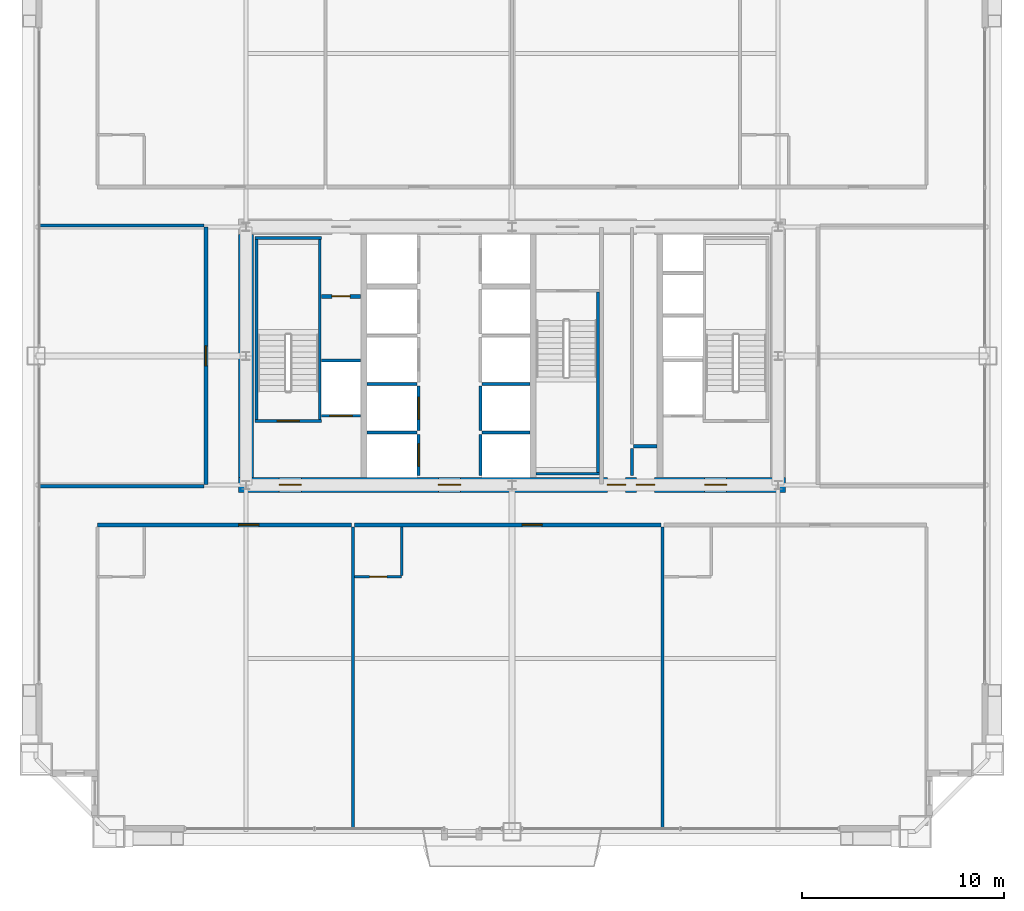
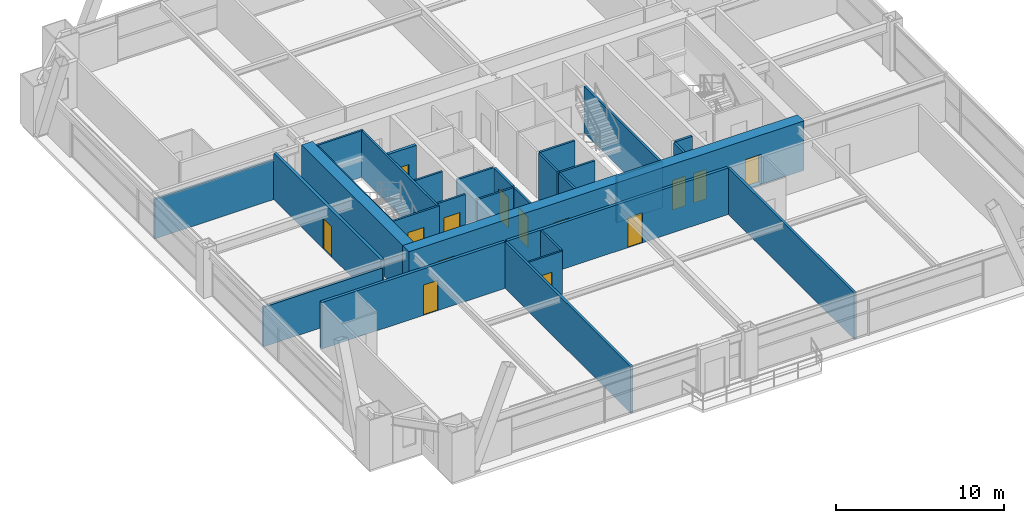
# One storey, part 39 of 43: 30 walls, 14 doors, 14 openings.
"""IFC4 building model written with IfcOpenShell, lengths in metres."""

import ifcopenshell
import ifcopenshell.guid

model = None  # the IFC model being written
_history = None  # IfcOwnerHistory: only IFC2X3 demands one
_inside = {}  # id of a spatial element -> (the spatial element, [elements in it])
_under = {}  # id of a project, library or spatial element -> (it, [spatial elements below it])
_declared = {}  # id of a project -> (the project, [libraries it declares])
_typed = {}  # id of a type object -> (the type object, [elements of that type])
_made_of = {}  # id of a material, layer set ... -> (it, [elements and type objects made of it])


def new_model(schema):
    """Start an empty IFC model of exactly this schema.

    Asked for "IFC4X3", IfcOpenShell would pick the latest addendum, in which some entities
    have other attributes; the version numbers below select the first issue.
    IFC2X3 requires an IfcOwnerHistory on every rooted entity: one is made here for all.
    """
    global model, _history
    if schema == "IFC4X3":
        model = ifcopenshell.file(schema_version=(4, 3, 0, 0))
    else:
        model = ifcopenshell.file(schema=schema)
    _inside.clear()
    _under.clear()
    _declared.clear()
    _typed.clear()
    _made_of.clear()
    _history = None
    if model.schema == "IFC2X3":
        org = make("IfcOrganization", Name="unknown")
        user = make(
            "IfcPersonAndOrganization",
            ThePerson=make("IfcPerson", FamilyName="unknown"),
            TheOrganization=org,
        )
        app = make(
            "IfcApplication",
            ApplicationDeveloper=org,
            Version="unknown",
            ApplicationFullName="unknown",
            ApplicationIdentifier="unknown",
        )
        _history = make(
            "IfcOwnerHistory",
            OwningUser=user,
            OwningApplication=app,
            ChangeAction="ADDED",
            CreationDate=0,
        )
    return model


def make(cls, **values):
    """One entity of the class cls with the attributes given. An attribute that is None is left unset."""
    return model.create_entity(
        cls, **{name: value for name, value in values.items() if value is not None}
    )


def rooted(cls, **values):
    """An entity with a GlobalId (a new one), such as an element, a storey or a relation."""
    return make(cls, GlobalId=ifcopenshell.guid.new(), OwnerHistory=_history, **values)


def si_unit(unit_type, name, prefix=None):
    """IfcSIUnit, for example si_unit("LENGTHUNIT", "METRE", prefix="MILLI")."""
    return make("IfcSIUnit", UnitType=unit_type, Prefix=prefix, Name=name)


def assignment(units):
    """IfcUnitAssignment: the units of a project."""
    return None if units is None else make("IfcUnitAssignment", Units=units)


def point(xyz):
    """IfcCartesianPoint."""
    return None if xyz is None else make("IfcCartesianPoint", Coordinates=xyz)


def direction(xyz):
    """IfcDirection."""
    return None if xyz is None else make("IfcDirection", DirectionRatios=xyz)


def frame(location, z_axis=None, x_axis=None):
    """IfcAxis2Placement3D, a coordinate frame: its origin and axes. An axis left out is left unset."""
    return make(
        "IfcAxis2Placement3D",
        Location=point(location),
        Axis=direction(z_axis),
        RefDirection=direction(x_axis),
    )


def frame_2d(location, x_axis=None):
    """IfcAxis2Placement2D, a coordinate frame in the plane: its origin and x axis."""
    return make(
        "IfcAxis2Placement2D", Location=point(location), RefDirection=direction(x_axis)
    )


def origin():
    """The frame at (0, 0, 0) with its axes left unset."""
    return frame((0.0, 0.0, 0.0))


def place(relative_to, where):
    """IfcLocalPlacement: puts the frame where relative to a parent placement (None: the world)."""
    return make(
        "IfcLocalPlacement", PlacementRelTo=relative_to, RelativePlacement=where
    )


def context(
    kind, dimensions, precision=None, world=None, true_north=None, identifier=None
):
    """IfcGeometricRepresentationContext, for example the 3D "Model" context."""
    return make(
        "IfcGeometricRepresentationContext",
        ContextIdentifier=identifier,
        ContextType=kind,
        CoordinateSpaceDimension=dimensions,
        Precision=precision,
        WorldCoordinateSystem=world,
        TrueNorth=true_north,
    )


def subcontext(parent, identifier, kind, view, scale=None):
    """IfcGeometricRepresentationSubContext, for example "Body" below "Model"."""
    return make(
        "IfcGeometricRepresentationSubContext",
        ContextIdentifier=identifier,
        ContextType=kind,
        ParentContext=parent,
        TargetScale=scale,
        TargetView=view,
    )


def project(units=None, contexts=None):
    """IfcProject with its units and contexts."""
    return rooted(
        "IfcProject",
        Name="project",
        RepresentationContexts=contexts,
        UnitsInContext=assignment(units),
    )


def spatial(cls, under=None, at=None, **own):
    """A site, building, storey or space (cls), placed at a placement, below another one or the project."""
    s = rooted(cls, ObjectPlacement=at, **own)
    if under is not None:
        _under.setdefault(under.id(), (under, []))[1].append(s)
    return s


def profile(cls, at=None, kind="AREA", **sizes):
    """A parametric profile (cls). Its sizes go by their IFC names, for example OverallWidth=200.0."""
    return make(cls, ProfileType=kind, Position=at, **sizes)


def rectangle(**sizes):
    """IfcRectangleProfileDef."""
    return profile("IfcRectangleProfileDef", **sizes)


def extrude(swept, where, along, depth):
    """IfcExtrudedAreaSolid: the profile swept, set in the frame where, extruded along a direction by depth."""
    return make(
        "IfcExtrudedAreaSolid",
        SweptArea=swept,
        Position=where,
        ExtrudedDirection=direction(along),
        Depth=depth,
    )


def shape(context_of_items, identifier, shape_type, items):
    """IfcShapeRepresentation: the items that make up one representation, for example the "Body"."""
    return make(
        "IfcShapeRepresentation",
        ContextOfItems=context_of_items,
        RepresentationIdentifier=identifier,
        RepresentationType=shape_type,
        Items=items,
    )


def source(mapping_origin, context_of_items, identifier, shape_type, items):
    """IfcRepresentationMap: a shape defined once, which mapped items show again and again."""
    return make(
        "IfcRepresentationMap",
        MappingOrigin=mapping_origin,
        MappedRepresentation=shape(context_of_items, identifier, shape_type, items),
    )


def transform(
    local_origin,
    x_axis=None,
    y_axis=None,
    z_axis=None,
    scale=None,
    scale2=None,
    scale3=None,
    uniform=True,
):
    """IfcCartesianTransformationOperator3D, or its non-uniform kind. x_axis, y_axis, z_axis: its Axis1, 2, 3."""
    if uniform:
        return make(
            "IfcCartesianTransformationOperator3D",
            Axis1=direction(x_axis),
            Axis2=direction(y_axis),
            LocalOrigin=point(local_origin),
            Scale=scale,
            Axis3=direction(z_axis),
        )
    return make(
        "IfcCartesianTransformationOperator3DnonUniform",
        Axis1=direction(x_axis),
        Axis2=direction(y_axis),
        LocalOrigin=point(local_origin),
        Scale=scale,
        Axis3=direction(z_axis),
        Scale2=scale2,
        Scale3=scale3,
    )


def mapped(mapping_source, mapping_target):
    """IfcMappedItem: shows the shape of a source again, moved by a transform."""
    return make(
        "IfcMappedItem", MappingSource=mapping_source, MappingTarget=mapping_target
    )


def material(Name=None, Category=None):
    """IfcMaterial."""
    return make("IfcMaterial", Name=Name, Category=Category)


def layer(
    of_material, thickness, ventilated=None, Name=None, Category=None, Priority=None
):
    """IfcMaterialLayer: one layer of a wall or slab, of a material (None: an air gap)."""
    return make(
        "IfcMaterialLayer",
        Material=of_material,
        LayerThickness=thickness,
        IsVentilated=ventilated,
        Name=Name,
        Category=Category,
        Priority=Priority,
    )


def layer_set(layers, Name=None):
    """IfcMaterialLayerSet."""
    return make("IfcMaterialLayerSet", MaterialLayers=layers, LayerSetName=Name)


def made_of(thing, what):
    """Note that an element or type object is made of a material, layer set ...; save() writes the relation."""
    if what is not None:
        _made_of.setdefault(what.id(), (what, []))[1].append(thing)
    return thing


def type_object(cls, material=None, **own):
    """A type object (cls), such as IfcWallType, which elements share."""
    return made_of(rooted(cls, **own), material)


def element(
    cls,
    number,
    at=None,
    inside=None,
    cuts=None,
    type_object=None,
    material=None,
    context=None,
    identifier="Body",
    shape_type=None,
    held_by="IfcProductDefinitionShape",
    body=None,
    shapes=None,
    **own,
):
    """One element of the class cls, such as IfcWall. Its Tag is "e" and its number.

    at: its placement. inside: the storey or other place that contains it. cuts: it is an
    opening in that element (IfcRelVoidsElement). A single representation is given by context,
    identifier, shape_type and body (its items); several are given by shapes. held_by: the class
    of the entity that holds the representations. save() writes the other relations.
    """
    e = rooted(cls, Tag="e%d" % number, ObjectPlacement=at, **own)
    if body is not None:
        shapes = [shape(context, identifier, shape_type, body)]
    if shapes is not None:
        e.Representation = make(held_by, Representations=shapes)
    if inside is not None:
        _inside.setdefault(inside.id(), (inside, []))[1].append(e)
    if cuts is not None:
        rooted(
            "IfcRelVoidsElement", RelatingBuildingElement=cuts, RelatedOpeningElement=e
        )
    if type_object is not None:
        _typed.setdefault(type_object.id(), (type_object, []))[1].append(e)
    return made_of(e, material)


def fill(opening, filler):
    """IfcRelFillsElement: the door or window that sits in an opening."""
    return rooted(
        "IfcRelFillsElement",
        RelatingOpeningElement=opening,
        RelatedBuildingElement=filler,
    )


def aggregate(whole, parts):
    """IfcRelAggregates: a whole, such as a stair, and the parts it consists of."""
    return rooted("IfcRelAggregates", RelatingObject=whole, RelatedObjects=parts)


def save(model, path):
    """Write the relations noted so far, then the file.

    IfcRelAggregates (storeys below a building ...), IfcRelContainedInSpatialStructure (elements
    in a storey), IfcRelDefinesByType, IfcRelAssociatesMaterial and IfcRelDeclares: one each for
    every whole, place, type object, material and project.
    """
    for whole, parts in _under.values():
        aggregate(whole, parts)
    for where, things in _inside.values():
        rooted(
            "IfcRelContainedInSpatialStructure",
            RelatedElements=things,
            RelatingStructure=where,
        )
    for kind, things in _typed.values():
        rooted("IfcRelDefinesByType", RelatedObjects=things, RelatingType=kind)
    for what, things in _made_of.values():
        rooted("IfcRelAssociatesMaterial", RelatedObjects=things, RelatingMaterial=what)
    for by, libraries in _declared.values():
        rooted("IfcRelDeclares", RelatingContext=by, RelatedDefinitions=libraries)
    model.write(path)


model = new_model("IFC4")

# Units and contexts
model_context = context("Model", 3, precision=1e-05, world=origin(), true_north=direction((0.0, 1.0)))
body_context = subcontext(model_context, "Body", "Model", "MODEL_VIEW")
ifc_project = project(units=[si_unit("LENGTHUNIT", "METRE"), si_unit("AREAUNIT", "SQUARE_METRE"), si_unit("VOLUMEUNIT", "CUBIC_METRE"), si_unit("PLANEANGLEUNIT", "RADIAN"), si_unit("MASSUNIT", "GRAM", prefix="KILO"), si_unit("THERMODYNAMICTEMPERATUREUNIT", "KELVIN"), si_unit("POWERUNIT", "WATT")], contexts=[model_context])

# Site, building, storey
site_placement = place(None, origin())
site = spatial("IfcSite", under=ifc_project, at=site_placement, CompositionType="ELEMENT")
building_placement = place(site_placement, origin())
building = spatial("IfcBuilding", under=site, at=building_placement, Name="Yuzanri Waterfront Tower", CompositionType="ELEMENT")
storey_placement = place(building_placement, frame((0.0, 0.0, 108.199951171875)))
storey = spatial("IfcBuildingStorey", under=building, at=storey_placement, Name="L28", CompositionType="ELEMENT", Elevation=108.199951171875)

# Wall, opening, door
ifc_material_1 = material(Name="Moisture-Resistant Gypsum Stud Wall", Category="gypsum")
ifc_layer_1 = layer(ifc_material_1, 0.1201171875)
ifc_layer_set_1 = layer_set([ifc_layer_1], Name="Moisture-Resistant Gypsum Stud Wall")
wall_type_1 = type_object("IfcWallType", Name="Bathroom and Kitchen Wet Partition 120", PredefinedType="PARTITIONING", material=ifc_layer_set_1)
wall_1_placement = place(storey_placement, frame((29.198974609375, 14.840087890625, 0.0), z_axis=(0.0, 0.0, 1.0), x_axis=(1.0, 0.0, 0.0)))
wall_1 = element("IfcWall", 1, at=wall_1_placement, inside=storey, type_object=wall_type_1, Name="L28 Partition UW-L28-S2-BS", PredefinedType="PARTITIONING", context=body_context, shape_type="SweptSolid", body=[
    extrude(rectangle(XDim=2.330078125, YDim=0.1201171875, at=frame_2d((1.1650390625, 0.0))), origin(), (0.0, 0.0, 1.0), 3.380126953125),
])
opening_1_placement = place(wall_1_placement, frame((0.739990234375, 0.0, 0.0)))
opening_1 = element("IfcOpeningElement", 2, at=opening_1_placement, cuts=wall_1, Name="Opening ID-0850", PredefinedType="OPENING", context=body_context, shape_type="SweptSolid", body=[
    extrude(rectangle(XDim=0.85009765625, YDim=2.10009765625, at=frame_2d((0.425048828125, 1.050048828125))), frame((0.0, 0.074951171875, 0.0), z_axis=(0.0, -1.0, 0.0), x_axis=(1.0, 0.0, 0.0)), (0.0, 0.0, 1.0), 0.14990234375),
])
ifc_material_2 = material(Name="Moisture-Resistant Lacquered Timber", Category="wood")
door_type_1 = type_object("IfcDoorType", Name="En-Suite Bathroom and Kitchen Swing Door 850x2100", OperationType="NOTDEFINED", PredefinedType="DOOR", material=ifc_material_2)
shared_shape_1 = source(origin(), body_context, "Body", "SweptSolid", [
    extrude(rectangle(XDim=0.85009765625, YDim=2.10009765625, at=frame_2d((0.425048828125, 1.050048828125))), frame((0.0, 0.02490234375, 0.0), z_axis=(0.0, -1.0, 0.0), x_axis=(1.0, 0.0, 0.0)), (0.0, 0.0, 1.0), 0.050048828125),
])
door_1_placement = place(opening_1_placement, origin())
door_1 = element("IfcDoor", 3, at=door_1_placement, inside=storey, type_object=door_type_1, Name="L28 Guest En-Suite Door", OperationType="SINGLE_SWING_LEFT", OverallHeight=2.10009765625, OverallWidth=0.85009765625, PredefinedType="DOOR", context=body_context, shape_type="MappedRepresentation", body=[
    mapped(shared_shape_1, transform((0.0, 0.0, 0.0), scale=1.0)),
])
fill(opening_1, door_1)

# Wall, openings, doors
ifc_material_3 = material(Name="Concrete C55", Category="concrete")
ifc_layer_2 = layer(ifc_material_3, 0.75)
ifc_layer_set_2 = layer_set([ifc_layer_2], Name="Concrete C55")
wall_type_2 = type_object("IfcWallType", Name="Concrete C55 Low-Mid Zone Core Shear Wall 750", PredefinedType="SHEAR", material=ifc_layer_set_2)
wall_2_placement = place(storey_placement, frame((23.425048828125, 19.39990234375, 0.0), z_axis=(0.0, 0.0, 1.0), x_axis=(1.0, 0.0, 0.0)))
wall_2 = element("IfcWall", 4, at=wall_2_placement, inside=storey, type_object=wall_type_2, Name="L28 Core South Shear Wall", PredefinedType="SHEAR", context=body_context, shape_type="SweptSolid", body=[
    extrude(rectangle(XDim=27.14990234375, YDim=0.75, at=frame_2d((13.574951171875, 0.0))), origin(), (0.0, 0.0, 1.0), 3.60009765625),
])
opening_2_placement = place(wall_2_placement, frame((2.02490234375, 0.0, 0.0)))
opening_2 = element("IfcOpeningElement", 5, at=opening_2_placement, cuts=wall_2, Name="Opening FD-1100", PredefinedType="OPENING", context=body_context, shape_type="SweptSolid", body=[
    extrude(rectangle(XDim=1.10009765625, YDim=2.199951171875, at=frame_2d((0.550048828125, 1.10009765625))), frame((0.0, 0.389892578125, 0.0), z_axis=(0.0, -1.0, 0.0), x_axis=(1.0, 0.0, 0.0)), (0.0, 0.0, 1.0), 0.77978515625),
])
opening_3_placement = place(wall_2_placement, frame((9.925048828125, 0.0, 0.0)))
opening_3 = element("IfcOpeningElement", 6, at=opening_3_placement, cuts=wall_2, Name="Opening FD-1100", PredefinedType="OPENING", context=body_context, shape_type="SweptSolid", body=[
    extrude(rectangle(XDim=1.10009765625, YDim=2.199951171875, at=frame_2d((0.550048828125, 1.10009765625))), frame((0.0, 0.389892578125, 0.0), z_axis=(0.0, -1.0, 0.0), x_axis=(1.0, 0.0, 0.0)), (0.0, 0.0, 1.0), 0.77978515625),
])
opening_4_placement = place(wall_2_placement, frame((23.125, 0.0, 0.0)))
opening_4 = element("IfcOpeningElement", 7, at=opening_4_placement, cuts=wall_2, Name="Opening FD-1100", PredefinedType="OPENING", context=body_context, shape_type="SweptSolid", body=[
    extrude(rectangle(XDim=1.10009765625, YDim=2.199951171875, at=frame_2d((0.550048828125, 1.10009765625))), frame((0.0, 0.389892578125, 0.0), z_axis=(0.0, -1.0, 0.0), x_axis=(1.0, 0.0, 0.0)), (0.0, 0.0, 1.0), 0.77978515625),
])
opening_5_placement = place(wall_2_placement, frame((19.7451171875, 0.0, 0.0)))
opening_5 = element("IfcOpeningElement", 8, at=opening_5_placement, cuts=wall_2, Name="Opening FD-0900", PredefinedType="OPENING", context=body_context, shape_type="SweptSolid", body=[
    extrude(rectangle(XDim=0.89990234375, YDim=2.14990234375, at=frame_2d((0.449951171875, 1.074951171875))), frame((0.0, 0.389892578125, 0.0), z_axis=(0.0, -1.0, 0.0), x_axis=(1.0, 0.0, 0.0)), (0.0, 0.0, 1.0), 0.77978515625),
])
opening_6_placement = place(wall_2_placement, frame((18.304931640625, 0.0, 0.0)))
opening_6 = element("IfcOpeningElement", 9, at=opening_6_placement, cuts=wall_2, Name="Opening FD-0900", PredefinedType="OPENING", context=body_context, shape_type="SweptSolid", body=[
    extrude(rectangle(XDim=0.89990234375, YDim=2.14990234375, at=frame_2d((0.449951171875, 1.074951171875))), frame((0.0, 0.389892578125, 0.0), z_axis=(0.0, -1.0, 0.0), x_axis=(1.0, 0.0, 0.0)), (0.0, 0.0, 1.0), 0.77978515625),
])
ifc_material_4 = material(Name="Painted Galvanized Fire Steel", Category="steel")
door_type_2 = type_object("IfcDoorType", Name="Smoke-Proof Stair and Lobby Fire Door 1100x2200", OperationType="NOTDEFINED", PredefinedType="DOOR", material=ifc_material_4)
shared_shape_2 = source(origin(), body_context, "Body", "SweptSolid", [
    extrude(rectangle(XDim=1.10009765625, YDim=2.199951171875, at=frame_2d((0.550048828125, 1.10009765625))), frame((0.0, 0.02490234375, 0.0), z_axis=(0.0, -1.0, 0.0), x_axis=(1.0, 0.0, 0.0)), (0.0, 0.0, 1.0), 0.050048828125),
])
door_2_placement = place(opening_2_placement, origin())
door_2 = element("IfcDoor", 10, at=door_2_placement, inside=storey, type_object=door_type_2, Name="L28 West Firefighting Lobby Door", OperationType="SINGLE_SWING_RIGHT", OverallHeight=2.199951171875, OverallWidth=1.10009765625, PredefinedType="DOOR", context=body_context, shape_type="MappedRepresentation", body=[
    mapped(shared_shape_2, transform((0.0, 0.0, 0.0), scale=1.0)),
])
fill(opening_2, door_2)
door_3_placement = place(opening_3_placement, origin())
door_3 = element("IfcDoor", 11, at=door_3_placement, inside=storey, type_object=door_type_2, Name="L28 Central Lift Lobby South Door", OperationType="SINGLE_SWING_LEFT", OverallHeight=2.199951171875, OverallWidth=1.10009765625, PredefinedType="DOOR", context=body_context, shape_type="MappedRepresentation", body=[
    mapped(shared_shape_2, transform((0.0, 0.0, 0.0), scale=1.0)),
])
fill(opening_3, door_3)
door_4_placement = place(opening_4_placement, origin())
door_4 = element("IfcDoor", 12, at=door_4_placement, inside=storey, type_object=door_type_2, Name="L28 East Firefighting Lobby Door", OperationType="SINGLE_SWING_RIGHT", OverallHeight=2.199951171875, OverallWidth=1.10009765625, PredefinedType="DOOR", context=body_context, shape_type="MappedRepresentation", body=[
    mapped(shared_shape_2, transform((0.0, 0.0, 0.0), scale=1.0)),
])
fill(opening_4, door_4)
ifc_material_5 = material(Name="Painted Galvanized Fire Steel", Category="steel")
door_type_3 = type_object("IfcDoorType", Name="Riser and Service Room Fire Door 900x2150", OperationType="NOTDEFINED", PredefinedType="DOOR", material=ifc_material_5)
shared_shape_3 = source(origin(), body_context, "Body", "SweptSolid", [
    extrude(rectangle(XDim=0.89990234375, YDim=2.14990234375, at=frame_2d((0.449951171875, 1.074951171875))), frame((0.0, 0.02490234375, 0.0), z_axis=(0.0, -1.0, 0.0), x_axis=(1.0, 0.0, 0.0)), (0.0, 0.0, 1.0), 0.050048828125),
])
door_5_placement = place(opening_5_placement, origin())
door_5 = element("IfcDoor", 13, at=door_5_placement, inside=storey, type_object=door_type_3, Name="L28 East Wet Riser Door", OperationType="SINGLE_SWING_LEFT", OverallHeight=2.14990234375, OverallWidth=0.89990234375, PredefinedType="DOOR", context=body_context, shape_type="MappedRepresentation", body=[
    mapped(shared_shape_3, transform((0.0, 0.0, 0.0), scale=1.0)),
])
fill(opening_5, door_5)
door_6_placement = place(opening_6_placement, origin())
door_6 = element("IfcDoor", 14, at=door_6_placement, inside=storey, type_object=door_type_3, Name="L28 Housekeeping Room", OperationType="SINGLE_SWING_RIGHT", OverallHeight=2.14990234375, OverallWidth=0.89990234375, PredefinedType="DOOR", context=body_context, shape_type="MappedRepresentation", body=[
    mapped(shared_shape_3, transform((0.0, 0.0, 0.0), scale=1.0)),
])
fill(opening_6, door_6)

# Wall, opening, door
ifc_material_6 = material(Name="Concrete C40", Category="concrete")
ifc_layer_3 = layer(ifc_material_6, 0.139892578125)
ifc_layer_set_3 = layer_set([ifc_layer_3], Name="Concrete C40")
wall_type_3 = type_object("IfcWallType", Name="Core Stair Liner and Hoistway Shaft Wall 140", PredefinedType="SOLIDWALL", material=ifc_layer_set_3)
wall_3_placement = place(storey_placement, frame((27.56005859375, 22.830078125, 0.0), z_axis=(0.0, 0.0, 1.0), x_axis=(1.0, 0.0, 0.0)))
wall_3 = element("IfcWall", 15, at=wall_3_placement, inside=storey, type_object=wall_type_3, Name="L28 Lift FL-01 Front Shaft Wall", PredefinedType="SOLIDWALL", context=body_context, shape_type="SweptSolid", body=[
    extrude(rectangle(XDim=1.919921875, YDim=0.139892578125, at=frame_2d((0.9599609375, 0.0))), origin(), (0.0, 0.0, 1.0), 3.380126953125),
])
opening_7_placement = place(wall_3_placement, frame((0.409912109375, 0.0, 0.0)))
opening_7 = element("IfcOpeningElement", 16, at=opening_7_placement, cuts=wall_3, Name="Opening LD-FL-01", PredefinedType="OPENING", context=body_context, shape_type="SweptSolid", body=[
    extrude(rectangle(XDim=1.10009765625, YDim=2.199951171875, at=frame_2d((0.550048828125, 1.10009765625))), frame((0.0, 0.0849609375, 0.0), z_axis=(0.0, -1.0, 0.0), x_axis=(1.0, 0.0, 0.0)), (0.0, 0.0, 1.0), 0.169677734375),
])
ifc_material_7 = material(Name="Brushed Bronze and Stainless Steel Cab", Category="steel")
door_type_4 = type_object("IfcDoorType", Name="Center-Parting Bronze Lift Landing Sliding Door 1100x2200", OperationType="NOTDEFINED", PredefinedType="DOOR", material=ifc_material_7)
shared_shape_4 = source(origin(), body_context, "Body", "SweptSolid", [
    extrude(rectangle(XDim=1.10009765625, YDim=2.199951171875, at=frame_2d((0.550048828125, 1.10009765625))), frame((0.0, 0.02490234375, 0.0), z_axis=(0.0, -1.0, 0.0), x_axis=(1.0, 0.0, 0.0)), (0.0, 0.0, 1.0), 0.050048828125),
])
door_7_placement = place(opening_7_placement, origin())
door_7 = element("IfcDoor", 17, at=door_7_placement, inside=storey, type_object=door_type_4, Name="L28 FL-01 Lift Landing Sliding Door", OperationType="SLIDING_TO_LEFT", OverallHeight=2.199951171875, OverallWidth=1.10009765625, PredefinedType="DOOR", context=body_context, shape_type="MappedRepresentation", body=[
    mapped(shared_shape_4, transform((0.0, 0.0, 0.0), scale=1.0)),
])
fill(opening_7, door_7)

wall_4_placement = place(storey_placement, frame((32.3701171875, 19.860107421875, 0.0), z_axis=(0.0, 0.0, 1.0), x_axis=(0.0, 1.0, 0.0)))
wall_4 = element("IfcWall", 18, at=wall_4_placement, inside=storey, type_object=wall_type_3, Name="L28 Lift PL-01 Front Shaft Wall", PredefinedType="SOLIDWALL", context=body_context, shape_type="SweptSolid", body=[
    extrude(rectangle(XDim=2.039794921875, YDim=0.139892578125, at=frame_2d((1.02001953125, 0.0))), origin(), (0.0, 0.0, 1.0), 3.380126953125),
])
opening_8_placement = place(wall_4_placement, frame((0.469970703125, 0.0, 0.0)))
opening_8 = element("IfcOpeningElement", 19, at=opening_8_placement, cuts=wall_4, Name="Opening LD-PL-01", PredefinedType="OPENING", context=body_context, shape_type="SweptSolid", body=[
    extrude(rectangle(XDim=1.10009765625, YDim=2.199951171875, at=frame_2d((0.550048828125, 1.10009765625))), frame((0.0, 0.0849609375, 0.0), z_axis=(0.0, -1.0, 0.0), x_axis=(1.0, 0.0, 0.0)), (0.0, 0.0, 1.0), 0.169677734375),
])
door_8_placement = place(opening_8_placement, origin())
door_8 = element("IfcDoor", 20, at=door_8_placement, inside=storey, type_object=door_type_4, Name="L28 PL-01 Lift Landing Sliding Door", OperationType="SLIDING_TO_LEFT", OverallHeight=2.199951171875, OverallWidth=1.10009765625, PredefinedType="DOOR", context=body_context, shape_type="MappedRepresentation", body=[
    mapped(shared_shape_4, transform((0.0, 0.0, 0.0), scale=1.0)),
])
fill(opening_8, door_8)

wall_5_placement = place(storey_placement, frame((32.3701171875, 22.10009765625, 0.0), z_axis=(0.0, 0.0, 1.0), x_axis=(0.0, 1.0, 0.0)))
wall_5 = element("IfcWall", 21, at=wall_5_placement, inside=storey, type_object=wall_type_3, Name="L28 Lift PL-02 Front Shaft Wall", PredefinedType="SOLIDWALL", context=body_context, shape_type="SweptSolid", body=[
    extrude(rectangle(XDim=2.199951171875, YDim=0.139892578125, at=frame_2d((1.10009765625, 0.0))), origin(), (0.0, 0.0, 1.0), 3.380126953125),
])
opening_9_placement = place(wall_5_placement, frame((0.550048828125, 0.0, 0.0)))
opening_9 = element("IfcOpeningElement", 22, at=opening_9_placement, cuts=wall_5, Name="Opening LD-PL-02", PredefinedType="OPENING", context=body_context, shape_type="SweptSolid", body=[
    extrude(rectangle(XDim=1.10009765625, YDim=2.199951171875, at=frame_2d((0.550048828125, 1.10009765625))), frame((0.0, 0.0849609375, 0.0), z_axis=(0.0, -1.0, 0.0), x_axis=(1.0, 0.0, 0.0)), (0.0, 0.0, 1.0), 0.169677734375),
])
door_9_placement = place(opening_9_placement, origin())
door_9 = element("IfcDoor", 23, at=door_9_placement, inside=storey, type_object=door_type_4, Name="L28 PL-02 Lift Landing Sliding Door", OperationType="SLIDING_TO_RIGHT", OverallHeight=2.199951171875, OverallWidth=1.10009765625, PredefinedType="DOOR", context=body_context, shape_type="MappedRepresentation", body=[
    mapped(shared_shape_4, transform((0.0, 0.0, 0.0), scale=1.0)),
])
fill(opening_9, door_9)

wall_6_placement = place(storey_placement, frame((24.260009765625, 22.570068359375, 0.0), z_axis=(0.0, 0.0, 1.0), x_axis=(1.0, 0.0, 0.0)))
wall_6 = element("IfcWall", 24, at=wall_6_placement, inside=storey, type_object=wall_type_3, Name="L28 Shaft Wall STW-L28-ST-01-S", PredefinedType="SOLIDWALL", context=body_context, shape_type="SweptSolid", body=[
    extrude(rectangle(XDim=3.280029296875, YDim=0.139892578125, at=frame_2d((1.64013671875, 0.0))), origin(), (0.0, 0.0, 1.0), 3.380126953125),
])
opening_10_placement = place(wall_6_placement, frame((1.090087890625, 0.0, 0.0)))
opening_10 = element("IfcOpeningElement", 25, at=opening_10_placement, cuts=wall_6, Name="Opening FD-1100", PredefinedType="OPENING", context=body_context, shape_type="SweptSolid", body=[
    extrude(rectangle(XDim=1.10009765625, YDim=2.199951171875, at=frame_2d((0.550048828125, 1.10009765625))), frame((0.0, 0.0849609375, 0.0), z_axis=(0.0, -1.0, 0.0), x_axis=(1.0, 0.0, 0.0)), (0.0, 0.0, 1.0), 0.169677734375),
])
door_10_placement = place(opening_10_placement, origin())
door_10 = element("IfcDoor", 26, at=door_10_placement, inside=storey, type_object=door_type_2, Name="L28 Stair ST-01 Fire Door", OperationType="SINGLE_SWING_LEFT", OverallHeight=2.199951171875, OverallWidth=1.10009765625, PredefinedType="DOOR", context=body_context, shape_type="MappedRepresentation", body=[
    mapped(shared_shape_2, transform((0.0, 0.0, 0.0), scale=1.0)),
])
fill(opening_10, door_10)

ifc_material_8 = material(Name="Autoclaved Aerated Concrete Blockwork", Category="masonry")
ifc_layer_4 = layer(ifc_material_8, 0.199951171875)
ifc_layer_set_4 = layer_set([ifc_layer_4], Name="Autoclaved Aerated Concrete Blockwork")
wall_type_4 = type_object("IfcWallType", Name="Corridor and Unit Party Fire Wall 200", PredefinedType="PARTITIONING", material=ifc_layer_set_4)
wall_7_placement = place(storey_placement, frame((27.56005859375, 28.75, 0.0), z_axis=(0.0, 0.0, 1.0), x_axis=(1.0, 0.0, 0.0)))
wall_7 = element("IfcWall", 27, at=wall_7_placement, inside=storey, type_object=wall_type_4, Name="L28 Partition CRW-L28-ERTR", PredefinedType="PARTITIONING", context=body_context, shape_type="SweptSolid", body=[
    extrude(rectangle(XDim=1.919921875, YDim=0.199951171875, at=frame_2d((0.9599609375, 0.0))), origin(), (0.0, 0.0, 1.0), 3.380126953125),
])
opening_11_placement = place(wall_7_placement, frame((0.510009765625, 0.0, 0.0)))
opening_11 = element("IfcOpeningElement", 28, at=opening_11_placement, cuts=wall_7, Name="Opening FD-0900", PredefinedType="OPENING", context=body_context, shape_type="SweptSolid", body=[
    extrude(rectangle(XDim=0.89990234375, YDim=2.14990234375, at=frame_2d((0.449951171875, 1.074951171875))), frame((0.0, 0.11474609375, 0.0), z_axis=(0.0, -1.0, 0.0), x_axis=(1.0, 0.0, 0.0)), (0.0, 0.0, 1.0), 0.229736328125),
])
door_11_placement = place(opening_11_placement, origin())
door_11 = element("IfcDoor", 29, at=door_11_placement, inside=storey, type_object=door_type_3, Name="L28 Electrical Riser Door", OperationType="SINGLE_SWING_RIGHT", OverallHeight=2.14990234375, OverallWidth=0.89990234375, PredefinedType="DOOR", context=body_context, shape_type="MappedRepresentation", body=[
    mapped(shared_shape_3, transform((0.0, 0.0, 0.0), scale=1.0)),
])
fill(opening_11, door_11)

wall_8_placement = place(storey_placement, frame((16.43994140625, 17.419921875, 0.0), z_axis=(0.0, 0.0, 1.0), x_axis=(1.0, 0.0, 0.0)))
wall_8 = element("IfcWall", 30, at=wall_8_placement, inside=storey, type_object=wall_type_4, Name="L28 Partition UW-L28-S1-CN", PredefinedType="PARTITIONING", context=body_context, shape_type="SweptSolid", body=[
    extrude(rectangle(XDim=12.59912109375, YDim=0.199951171875, at=frame_2d((6.299560546875, 0.0))), origin(), (0.0, 0.0, 1.0), 3.380126953125),
])
opening_12_placement = place(wall_8_placement, frame((7.0048828125, 0.0, 0.0)))
opening_12 = element("IfcOpeningElement", 31, at=opening_12_placement, cuts=wall_8, Name="Opening FD-1000", PredefinedType="OPENING", context=body_context, shape_type="SweptSolid", body=[
    extrude(rectangle(XDim=1.0, YDim=2.199951171875, at=frame_2d((0.5, 1.10009765625))), frame((0.0, 0.11474609375, 0.0), z_axis=(0.0, -1.0, 0.0), x_axis=(1.0, 0.0, 0.0)), (0.0, 0.0, 1.0), 0.229736328125),
])
ifc_material_9 = material(Name="Engineered Oak Fire-Rated Timber", Category="wood")
door_type_5 = type_object("IfcDoorType", Name="Guestroom and Apartment Entrance Fire Door 1000x2200", OperationType="NOTDEFINED", PredefinedType="DOOR", material=ifc_material_9)
shared_shape_5 = source(origin(), body_context, "Body", "SweptSolid", [
    extrude(rectangle(XDim=1.0, YDim=2.199951171875, at=frame_2d((0.5, 1.10009765625))), frame((0.0, 0.02490234375, 0.0), z_axis=(0.0, -1.0, 0.0), x_axis=(1.0, 0.0, 0.0)), (0.0, 0.0, 1.0), 0.050048828125),
])
door_12_placement = place(opening_12_placement, origin())
door_12 = element("IfcDoor", 32, at=door_12_placement, inside=storey, type_object=door_type_5, Name="L28 Presidential Corner Suite Entrance Door", OperationType="SINGLE_SWING_RIGHT", OverallHeight=2.199951171875, OverallWidth=1.0, PredefinedType="DOOR", context=body_context, shape_type="MappedRepresentation", body=[
    mapped(shared_shape_5, transform((0.0, 0.0, 0.0), scale=1.0)),
])
fill(opening_12, door_12)

wall_9_placement = place(storey_placement, frame((29.198974609375, 17.419921875, 0.0), z_axis=(0.0, 0.0, 1.0), x_axis=(1.0, 0.0, 0.0)))
wall_9 = element("IfcWall", 33, at=wall_9_placement, inside=storey, type_object=wall_type_4, Name="L28 Partition UW-L28-S2-CN", PredefinedType="PARTITIONING", context=body_context, shape_type="SweptSolid", body=[
    extrude(rectangle(XDim=15.19091796875, YDim=0.199951171875, at=frame_2d((7.595458984375, 0.0))), origin(), (0.0, 0.0, 1.0), 3.380126953125),
])
opening_13_placement = place(wall_9_placement, frame((8.300048828125, 0.0, 0.0)))
opening_13 = element("IfcOpeningElement", 34, at=opening_13_placement, cuts=wall_9, Name="Opening FD-1000", PredefinedType="OPENING", context=body_context, shape_type="SweptSolid", body=[
    extrude(rectangle(XDim=1.0, YDim=2.199951171875, at=frame_2d((0.5, 1.10009765625))), frame((0.0, 0.11474609375, 0.0), z_axis=(0.0, -1.0, 0.0), x_axis=(1.0, 0.0, 0.0)), (0.0, 0.0, 1.0), 0.229736328125),
])
door_13_placement = place(opening_13_placement, origin())
door_13 = element("IfcDoor", 35, at=door_13_placement, inside=storey, type_object=door_type_5, Name="L28 Diplomatic Riverfront Suite Entrance Door", OperationType="SINGLE_SWING_RIGHT", OverallHeight=2.199951171875, OverallWidth=1.0, PredefinedType="DOOR", context=body_context, shape_type="MappedRepresentation", body=[
    mapped(shared_shape_5, transform((0.0, 0.0, 0.0), scale=1.0)),
])
fill(opening_13, door_13)

wall_10_placement = place(storey_placement, frame((21.820068359375, 19.409912109375, 0.0), z_axis=(0.0, 0.0, 1.0), x_axis=(0.0, 1.0, 0.0)))
wall_10 = element("IfcWall", 36, at=wall_10_placement, inside=storey, type_object=wall_type_4, Name="L28 Partition UW-L28-W1-CW", PredefinedType="PARTITIONING", context=body_context, shape_type="SweptSolid", body=[
    extrude(rectangle(XDim=12.780029296875, YDim=0.199951171875, at=frame_2d((6.39013671875, 0.0))), origin(), (0.0, 0.0, 1.0), 3.380126953125),
])
opening_14_placement = place(wall_10_placement, frame((5.889892578125, 0.0, 0.0)))
opening_14 = element("IfcOpeningElement", 37, at=opening_14_placement, cuts=wall_10, Name="Opening FD-1000", PredefinedType="OPENING", context=body_context, shape_type="SweptSolid", body=[
    extrude(rectangle(XDim=1.0, YDim=2.199951171875, at=frame_2d((0.5, 1.10009765625))), frame((0.0, 0.11474609375, 0.0), z_axis=(0.0, -1.0, 0.0), x_axis=(1.0, 0.0, 0.0)), (0.0, 0.0, 1.0), 0.229736328125),
])
door_14_placement = place(opening_14_placement, origin())
door_14 = element("IfcDoor", 38, at=door_14_placement, inside=storey, type_object=door_type_5, Name="L28 Horizon Diplomatic Club Room Entrance Door", OperationType="SINGLE_SWING_RIGHT", OverallHeight=2.199951171875, OverallWidth=1.0, PredefinedType="DOOR", context=body_context, shape_type="MappedRepresentation", body=[
    mapped(shared_shape_5, transform((0.0, 0.0, 0.0), scale=1.0)),
])
fill(opening_14, door_14)

# Walls
shared_shape_6 = source(origin(), body_context, "Body", "SweptSolid", [
    extrude(rectangle(XDim=12.050048828125, YDim=0.75, at=frame_2d((6.02490234375, 0.0))), origin(), (0.0, 0.0, 1.0), 3.60009765625),
])
wall_11_placement = place(storey_placement, frame((23.800048828125, 19.77490234375, 0.0), z_axis=(0.0, 0.0, 1.0), x_axis=(0.0, 1.0, 0.0)))
element("IfcWall", 39, at=wall_11_placement, inside=storey, type_object=wall_type_2, Name="L28 Core West Shear Wall", PredefinedType="SHEAR", context=body_context, shape_type="MappedRepresentation", body=[
    mapped(shared_shape_6, transform((0.0, 0.0, 0.0), scale=1.0)),
])
shared_shape_7 = source(origin(), body_context, "Body", "SweptSolid", [
    extrude(rectangle(XDim=1.919921875, YDim=0.139892578125, at=frame_2d((0.9599609375, 0.0))), origin(), (0.0, 0.0, 1.0), 3.380126953125),
])
wall_12_placement = place(storey_placement, frame((27.56005859375, 25.570068359375, 0.0), z_axis=(0.0, 0.0, 1.0), x_axis=(1.0, 0.0, 0.0)))
element("IfcWall", 40, at=wall_12_placement, inside=storey, type_object=wall_type_3, Name="L28 Lift FL-01 Back Shaft Wall", PredefinedType="SOLIDWALL", context=body_context, shape_type="MappedRepresentation", body=[
    mapped(shared_shape_7, transform((0.0, 0.0, 0.0), scale=1.0)),
])
shared_shape_8 = source(origin(), body_context, "Body", "SweptSolid", [
    extrude(rectangle(XDim=2.5, YDim=0.139892578125, at=frame_2d((1.25, 0.0))), origin(), (0.0, 0.0, 1.0), 3.380126953125),
])
for number, where, z_axis, x_axis, name in (
    (41, (29.800048828125, 22.0, 0.0), (0.0, 0.0, 1.0), (1.0, 0.0, 0.0), "L28 Lift PL-01 Divider Wall"),
    (42, (29.800048828125, 24.39990234375, 0.0), (0.0, 0.0, 1.0), (1.0, 0.0, 0.0), "L28 Lift PL-02 Divider Wall"),
):
    element("IfcWall", number, at=place(storey_placement, frame(where, z_axis=z_axis, x_axis=x_axis)), inside=storey, type_object=wall_type_3, Name=name, PredefinedType="SOLIDWALL", context=body_context, shape_type="MappedRepresentation", body=[
        mapped(shared_shape_8, transform((0.0, 0.0, 0.0), scale=1.0)),
    ])
shared_shape_9 = source(origin(), body_context, "Body", "SweptSolid", [
    extrude(rectangle(XDim=2.039794921875, YDim=0.139892578125, at=frame_2d((1.02001953125, 0.0))), origin(), (0.0, 0.0, 1.0), 3.380126953125),
])
wall_13_placement = place(storey_placement, frame((35.429931640625, 19.860107421875, 0.0), z_axis=(0.0, 0.0, 1.0), x_axis=(0.0, 1.0, 0.0)))
element("IfcWall", 43, at=wall_13_placement, inside=storey, type_object=wall_type_3, Name="L28 Lift PL-05 Front Shaft Wall", PredefinedType="SOLIDWALL", context=body_context, shape_type="MappedRepresentation", body=[
    mapped(shared_shape_9, transform((0.0, 0.0, 0.0), scale=1.0)),
])
shared_shape_10 = source(origin(), body_context, "Body", "SweptSolid", [
    extrude(rectangle(XDim=2.39990234375, YDim=0.139892578125, at=frame_2d((1.199951171875, 0.0))), origin(), (0.0, 0.0, 1.0), 3.380126953125),
])
for number, where, z_axis, x_axis, name in (
    (44, (35.5, 22.0, 0.0), (0.0, 0.0, 1.0), (1.0, 0.0, 0.0), "L28 Lift PL-05 Divider Wall"),
    (45, (35.5, 24.39990234375, 0.0), (0.0, 0.0, 1.0), (1.0, 0.0, 0.0), "L28 Lift PL-06 Divider Wall"),
):
    element("IfcWall", number, at=place(storey_placement, frame(where, z_axis=z_axis, x_axis=x_axis)), inside=storey, type_object=wall_type_3, Name=name, PredefinedType="SOLIDWALL", context=body_context, shape_type="MappedRepresentation", body=[
        mapped(shared_shape_10, transform((0.0, 0.0, 0.0), scale=1.0)),
    ])
shared_shape_11 = source(origin(), body_context, "Body", "SweptSolid", [
    extrude(rectangle(XDim=2.199951171875, YDim=0.139892578125, at=frame_2d((1.10009765625, 0.0))), origin(), (0.0, 0.0, 1.0), 3.380126953125),
])
wall_14_placement = place(storey_placement, frame((35.429931640625, 22.10009765625, 0.0), z_axis=(0.0, 0.0, 1.0), x_axis=(0.0, 1.0, 0.0)))
element("IfcWall", 46, at=wall_14_placement, inside=storey, type_object=wall_type_3, Name="L28 Lift PL-06 Front Shaft Wall", PredefinedType="SOLIDWALL", context=body_context, shape_type="MappedRepresentation", body=[
    mapped(shared_shape_11, transform((0.0, 0.0, 0.0), scale=1.0)),
])
shared_shape_12 = source(origin(), body_context, "Body", "SweptSolid", [
    extrude(rectangle(XDim=3.280029296875, YDim=0.139892578125, at=frame_2d((1.64013671875, 0.0))), origin(), (0.0, 0.0, 1.0), 3.380126953125),
])
wall_15_placement = place(storey_placement, frame((24.260009765625, 31.64990234375, 0.0), z_axis=(0.0, 0.0, 1.0), x_axis=(1.0, 0.0, 0.0)))
element("IfcWall", 47, at=wall_15_placement, inside=storey, type_object=wall_type_3, Name="L28 Stair ST-01 North Shaft Wall", PredefinedType="SOLIDWALL", context=body_context, shape_type="MappedRepresentation", body=[
    mapped(shared_shape_12, transform((0.0, 0.0, 0.0), scale=1.0)),
])
shared_shape_13 = source(origin(), body_context, "Body", "SweptSolid", [
    extrude(rectangle(XDim=8.940185546875, YDim=0.139892578125, at=frame_2d((4.47021484375, 0.0))), origin(), (0.0, 0.0, 1.0), 3.380126953125),
])
for number, where, z_axis, x_axis, name in (
    (48, (24.330078125, 22.639892578125, 0.0), (0.0, 0.0, 1.0), (0.0, 1.0, 0.0), "L28 Stair ST-01 West Shaft Wall"),
    (49, (27.469970703125, 22.639892578125, 0.0), (0.0, 0.0, 1.0), (0.0, 1.0, 0.0), "L28 Stair ST-01 East Shaft Wall"),
):
    element("IfcWall", number, at=place(storey_placement, frame(where, z_axis=z_axis, x_axis=x_axis)), inside=storey, type_object=wall_type_3, Name=name, PredefinedType="SOLIDWALL", context=body_context, shape_type="MappedRepresentation", body=[
        mapped(shared_shape_13, transform((0.0, 0.0, 0.0), scale=1.0)),
    ])
shared_shape_14 = source(origin(), body_context, "Body", "SweptSolid", [
    extrude(rectangle(XDim=3.14013671875, YDim=0.139892578125, at=frame_2d((1.570068359375, 0.0))), origin(), (0.0, 0.0, 1.0), 3.380126953125),
])
wall_16_placement = place(storey_placement, frame((38.199951171875, 19.949951171875, 0.0), z_axis=(0.0, 0.0, 1.0), x_axis=(1.0, 0.0, 0.0)))
element("IfcWall", 50, at=wall_16_placement, inside=storey, type_object=wall_type_3, Name="L28 Stair ST-03 South Shaft Wall", PredefinedType="SOLIDWALL", context=body_context, shape_type="MappedRepresentation", body=[
    mapped(shared_shape_14, transform((0.0, 0.0, 0.0), scale=1.0)),
])
shared_shape_15 = source(origin(), body_context, "Body", "SweptSolid", [
    extrude(rectangle(XDim=8.93994140625, YDim=0.139892578125, at=frame_2d((4.469970703125, 0.0))), origin(), (0.0, 0.0, 1.0), 3.380126953125),
])
wall_17_placement = place(storey_placement, frame((41.27001953125, 20.02001953125, 0.0), z_axis=(0.0, 0.0, 1.0), x_axis=(0.0, 1.0, 0.0)))
element("IfcWall", 51, at=wall_17_placement, inside=storey, type_object=wall_type_3, Name="L28 Stair ST-03 East Shaft Wall", PredefinedType="SOLIDWALL", context=body_context, shape_type="MappedRepresentation", body=[
    mapped(shared_shape_15, transform((0.0, 0.0, 0.0), scale=1.0)),
])
ifc_material_10 = material(Name="Gypsum Fireboard Acoustic Stud Wall", Category="gypsum")
ifc_layer_5 = layer(ifc_material_10, 0.159912109375)
ifc_layer_set_5 = layer_set([ifc_layer_5], Name="Gypsum Fireboard Acoustic Stud Wall")
wall_type_5 = type_object("IfcWallType", Name="Acoustic Suite Demising Partition 160", PredefinedType="PARTITIONING", material=ifc_layer_set_5)
shared_shape_16 = source(origin(), body_context, "Body", "SweptSolid", [
    extrude(rectangle(XDim=1.33984375, YDim=0.159912109375, at=frame_2d((0.669921875, 0.0))), origin(), (0.0, 0.0, 1.0), 3.380126953125),
])
wall_18_placement = place(storey_placement, frame((42.949951171875, 19.860107421875, 0.0), z_axis=(0.0, 0.0, 1.0), x_axis=(0.0, 1.0, 0.0)))
element("IfcWall", 52, at=wall_18_placement, inside=storey, type_object=wall_type_5, Name="L28 East Wet Riser West Wall", PredefinedType="PARTITIONING", context=body_context, shape_type="MappedRepresentation", body=[
    mapped(shared_shape_16, transform((0.0, 0.0, 0.0), scale=1.0)),
])
shared_shape_17 = source(origin(), body_context, "Body", "SweptSolid", [
    extrude(rectangle(XDim=1.169921875, YDim=0.159912109375, at=frame_2d((0.5849609375, 0.0))), origin(), (0.0, 0.0, 1.0), 3.380126953125),
])
wall_19_placement = place(storey_placement, frame((43.030029296875, 21.320068359375, 0.0), z_axis=(0.0, 0.0, 1.0), x_axis=(1.0, 0.0, 0.0)))
element("IfcWall", 53, at=wall_19_placement, inside=storey, type_object=wall_type_5, Name="L28 East Wet Riser North Wall", PredefinedType="PARTITIONING", context=body_context, shape_type="MappedRepresentation", body=[
    mapped(shared_shape_17, transform((0.0, 0.0, 0.0), scale=1.0)),
])
shared_shape_18 = source(origin(), body_context, "Body", "SweptSolid", [
    extrude(rectangle(XDim=2.420166015625, YDim=0.1201171875, at=frame_2d((1.2099609375, 0.0))), origin(), (0.0, 0.0, 1.0), 3.380126953125),
])
wall_20_placement = place(storey_placement, frame((31.529052734375, 14.89990234375, 0.0), z_axis=(0.0, 0.0, 1.0), x_axis=(0.0, 1.0, 0.0)))
element("IfcWall", 54, at=wall_20_placement, inside=storey, type_object=wall_type_1, Name="L28-S2 En-Suite Side Wall", PredefinedType="PARTITIONING", context=body_context, shape_type="MappedRepresentation", body=[
    mapped(shared_shape_18, transform((0.0, 0.0, 0.0), scale=1.0)),
])
shared_shape_19 = source(origin(), body_context, "Body", "SweptSolid", [
    extrude(rectangle(XDim=14.969970703125, YDim=0.159912109375, at=frame_2d((7.48486328125, 0.0))), origin(), (0.0, 0.0, 1.0), 3.380126953125),
])
for number, where, z_axis, x_axis, name in (
    (55, (29.118896484375, 2.35009765625, 0.0), (0.0, 0.0, 1.0), (0.0, 1.0, 0.0), "L28-S1 Party Wall"),
    (56, (44.469970703125, 2.35009765625, 0.0), (0.0, 0.0, 1.0), (0.0, 1.0, 0.0), "L28-S2 Party Wall"),
):
    element("IfcWall", number, at=place(storey_placement, frame(where, z_axis=z_axis, x_axis=x_axis)), inside=storey, type_object=wall_type_5, Name=name, PredefinedType="PARTITIONING", context=body_context, shape_type="MappedRepresentation", body=[
        mapped(shared_shape_19, transform((0.0, 0.0, 0.0), scale=1.0)),
    ])
shared_shape_20 = source(origin(), body_context, "Body", "SweptSolid", [
    extrude(rectangle(XDim=8.169921875, YDim=0.159912109375, at=frame_2d((4.0849609375, 0.0))), origin(), (0.0, 0.0, 1.0), 2.875),
])
for number, where, z_axis, x_axis, name in (
    (57, (13.550048828125, 19.330078125, 0.0), (0.0, 0.0, 1.0), (1.0, 0.0, 0.0), "L28-W1 Wing South End Wall"),
    (58, (13.550048828125, 32.27001953125, 0.0), (0.0, 0.0, 1.0), (1.0, 0.0, 0.0), "L28-W1 Wing North End Wall"),
):
    element("IfcWall", number, at=place(storey_placement, frame(where, z_axis=z_axis, x_axis=x_axis)), inside=storey, type_object=wall_type_5, Name=name, PredefinedType="PARTITIONING", context=body_context, shape_type="MappedRepresentation", body=[
        mapped(shared_shape_20, transform((0.0, 0.0, 0.0), scale=1.0)),
    ])

save(model, "model.ifc")
